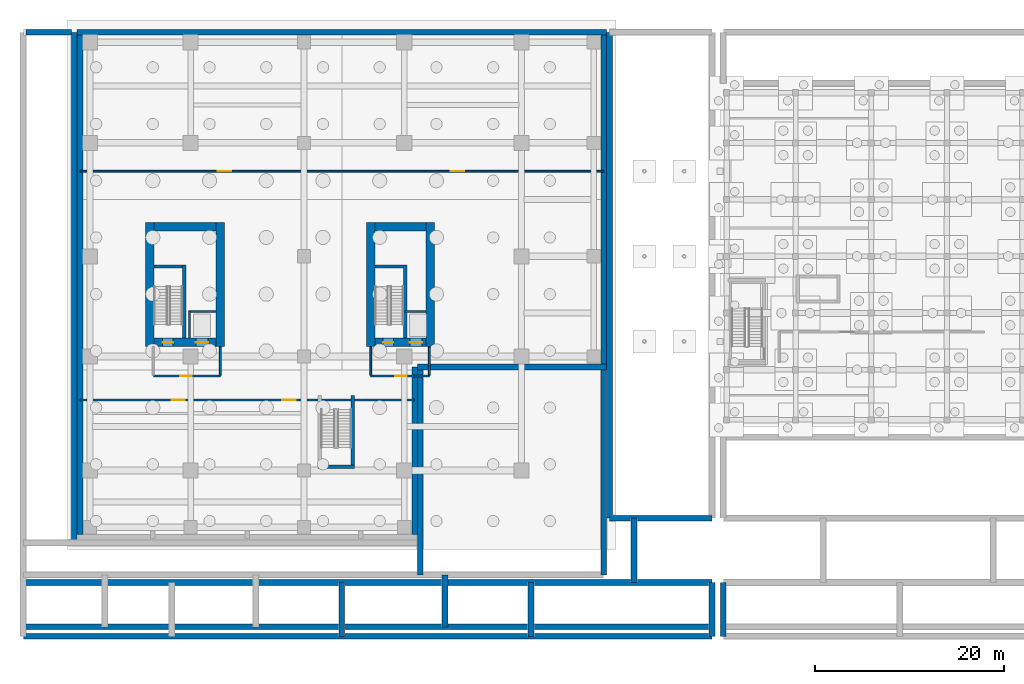
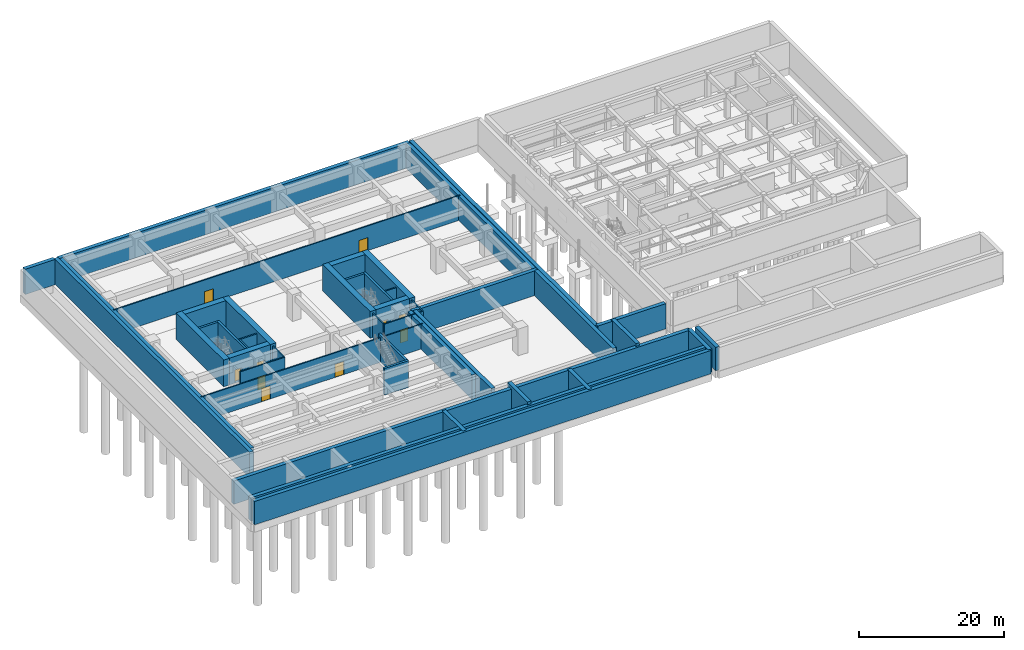
# One storey, part 9 of 14: 44 walls, 10 doors, 10 openings.
"""IFC4 building model written with IfcOpenShell, lengths in metres."""

from ifc_helpers import new_model, si_unit, direction, frame, frame_2d, origin, place, context, subcontext, project, spatial, rectangle, extrude, source, transform, mapped, material, layer, layer_set, type_object, element, fill, save


model = new_model("IFC4")

# Units and contexts
model_context = context("Model", 3, precision=1e-05, world=origin(), true_north=direction((0.0, 1.0)))
body_context = subcontext(model_context, "Body", "Model", "MODEL_VIEW")
ifc_project = project(units=[si_unit("LENGTHUNIT", "METRE"), si_unit("AREAUNIT", "SQUARE_METRE"), si_unit("VOLUMEUNIT", "CUBIC_METRE"), si_unit("PLANEANGLEUNIT", "RADIAN"), si_unit("MASSUNIT", "GRAM", prefix="KILO")], contexts=[model_context])

# Site, building, storey
site_placement = place(None, origin())
site = spatial("IfcSite", under=ifc_project, at=site_placement, CompositionType="ELEMENT")
building_placement = place(site_placement, origin())
building = spatial("IfcBuilding", under=site, at=building_placement, Name="Khoralis Quay Care Tower", CompositionType="ELEMENT")
storey_placement = place(building_placement, frame((0.0, 0.0, -4.5)))
storey = spatial("IfcBuildingStorey", under=building, at=storey_placement, Name="B1", CompositionType="ELEMENT", Elevation=-4.5)

# Walls
ifc_material_1 = material(Name="Concrete C50/60", Category="concrete")
ifc_layer_1 = layer(ifc_material_1, 0.60009765625)
ifc_layer_set_1 = layer_set([ifc_layer_1], Name="Concrete C50/60")
wall_type_1 = type_object("IfcWallType", Name="WL-BSMT-RET-600", PredefinedType="SOLIDWALL", material=ifc_layer_set_1)
wall_1_placement = place(storey_placement, frame((35.699951171875, -5.39990234375, 0.0), z_axis=(0.0, 0.0, 1.0), x_axis=(0.0, 1.0, 0.0)))
element("IfcWall", 1, at=wall_1_placement, inside=storey, type_object=wall_type_1, Name="Basement Retaining Wall WL-B1-RET-E1", PredefinedType="SOLIDWALL", context=body_context, shape_type="SweptSolid", body=[
    extrude(rectangle(XDim=17.699951171875, YDim=0.60009765625, at=frame_2d((8.85009765625, 0.0))), origin(), (0.0, 0.0, 1.0), 4.159912109375),
])
wall_2_placement = place(storey_placement, frame((36.0, 12.300048828125, 0.0), z_axis=(0.0, 0.0, 1.0), x_axis=(1.0, 0.0, 0.0)))
element("IfcWall", 2, at=wall_2_placement, inside=storey, type_object=wall_type_1, Name="Basement Retaining Wall WL-B1-RET-S2", PredefinedType="SOLIDWALL", context=body_context, shape_type="SweptSolid", body=[
    extrude(rectangle(XDim=20.0, YDim=0.60009765625, at=frame_2d((10.0, 0.0))), origin(), (0.0, 0.0, 1.0), 4.159912109375),
])
wall_3_placement = place(storey_placement, frame((55.699951171875, 12.60009765625, 0.0), z_axis=(0.0, 0.0, 1.0), x_axis=(0.0, 1.0, 0.0)))
element("IfcWall", 3, at=wall_3_placement, inside=storey, type_object=wall_type_1, Name="Basement Retaining Wall WL-B1-RET-E2", PredefinedType="SOLIDWALL", context=body_context, shape_type="SweptSolid", body=[
    extrude(rectangle(XDim=34.7998046875, YDim=0.60009765625, at=frame_2d((17.39990234375, 0.0))), origin(), (0.0, 0.0, 1.0), 4.159912109375),
])
wall_4_placement = place(storey_placement, frame((56.0, 47.699951171875, 0.0), z_axis=(0.0, 0.0, 1.0), x_axis=(-1.0, 0.0, 0.0)))
element("IfcWall", 4, at=wall_4_placement, inside=storey, type_object=wall_type_1, Name="Basement Retaining Wall WL-B1-RET-N", PredefinedType="SOLIDWALL", context=body_context, shape_type="SweptSolid", body=[
    extrude(rectangle(XDim=56.0, YDim=0.60009765625, at=frame_2d((28.0, 0.0))), origin(), (0.0, 0.0, 1.0), 4.159912109375),
])
wall_5_placement = place(storey_placement, frame((0.300048828125, 47.39990234375, 0.0), z_axis=(0.0, 0.0, 1.0), x_axis=(0.0, -1.0, 0.0)))
element("IfcWall", 5, at=wall_5_placement, inside=storey, type_object=wall_type_1, Name="Basement Retaining Wall WL-B1-RET-W", PredefinedType="SOLIDWALL", context=body_context, shape_type="SweptSolid", body=[
    extrude(rectangle(XDim=52.7998046875, YDim=0.60009765625, at=frame_2d((26.39990234375, 0.0))), origin(), (0.0, 0.0, 1.0), 4.159912109375),
])
wall_6_placement = place(storey_placement, frame((38.89990234375, -15.199951171875, 0.0), z_axis=(0.0, 0.0, 1.0), x_axis=(0.0, 1.0, 0.0)))
element("IfcWall", 6, at=wall_6_placement, inside=storey, type_object=wall_type_1, Name="Waterfront Quay Substructure Retaining Plinth Wall 3", PredefinedType="SOLIDWALL", context=body_context, shape_type="SweptSolid", body=[
    extrude(rectangle(XDim=5.5, YDim=0.60009765625, at=frame_2d((2.75, 0.0))), origin(), (0.0, 0.0, 1.0), 4.419921875),
])
wall_7_placement = place(storey_placement, frame((58.89990234375, -10.5, 0.0), z_axis=(0.0, 0.0, 1.0), x_axis=(0.0, 1.0, 0.0)))
element("IfcWall", 7, at=wall_7_placement, inside=storey, type_object=wall_type_1, Name="Waterfront Quay Substructure Retaining Plinth Wall 4", PredefinedType="SOLIDWALL", context=body_context, shape_type="SweptSolid", body=[
    extrude(rectangle(XDim=6.800048828125, YDim=0.60009765625, at=frame_2d((3.39990234375, 0.0))), origin(), (0.0, 0.0, 1.0), 4.419921875),
])
wall_8_placement = place(storey_placement, frame((-5.39990234375, 47.699951171875, 0.0), z_axis=(0.0, 0.0, 1.0), x_axis=(1.0, 0.0, 0.0)))
element("IfcWall", 8, at=wall_8_placement, inside=storey, type_object=wall_type_1, Name="Quay Promenade Substructure Retaining Plinth Wall 2", PredefinedType="SOLIDWALL", context=body_context, shape_type="SweptSolid", body=[
    extrude(rectangle(XDim=4.7998046875, YDim=0.60009765625, at=frame_2d((2.39990234375, 0.0))), origin(), (0.0, 0.0, 1.0), 4.260009765625),
])
wall_9_placement = place(storey_placement, frame((-0.300048828125, -6.300048828125, 0.0), z_axis=(0.0, 0.0, 1.0), x_axis=(0.0, 1.0, 0.0)))
element("IfcWall", 9, at=wall_9_placement, inside=storey, type_object=wall_type_1, Name="Quay Promenade Substructure Retaining Plinth Wall 3", PredefinedType="SOLIDWALL", context=body_context, shape_type="SweptSolid", body=[
    extrude(rectangle(XDim=54.0, YDim=0.60009765625, at=frame_2d((27.0, 0.0))), origin(), (0.0, 0.0, 1.0), 4.260009765625),
])
for number, where, z_axis, x_axis, name in (
    (10, (36.300048828125, -9.699951171875, 0.0), (0.0, 0.0, 1.0), (0.0, 1.0, 0.0), "Quay Promenade Substructure Retaining Plinth Wall 6"),
    (11, (55.699951171875, -9.699951171875, 0.0), (0.0, 0.0, 1.0), (0.0, 1.0, 0.0), "Quay Promenade Substructure Retaining Plinth Wall 7"),
):
    element("IfcWall", number, at=place(storey_placement, frame(where, z_axis=z_axis, x_axis=x_axis)), inside=storey, type_object=wall_type_1, Name=name, PredefinedType="SOLIDWALL", context=body_context, shape_type="SweptSolid", body=[
        extrude(rectangle(XDim=21.699951171875, YDim=0.60009765625, at=frame_2d((10.85009765625, 0.0))), origin(), (0.0, 0.0, 1.0), 4.260009765625),
    ])
wall_10_placement = place(storey_placement, frame((56.300048828125, -3.699951171875, 0.0), z_axis=(0.0, 0.0, 1.0), x_axis=(0.0, 1.0, 0.0)))
element("IfcWall", 12, at=wall_10_placement, inside=storey, type_object=wall_type_1, Name="Quay Promenade Substructure Retaining Plinth Wall 8", PredefinedType="SOLIDWALL", context=body_context, shape_type="SweptSolid", body=[
    extrude(rectangle(XDim=51.39990234375, YDim=0.60009765625, at=frame_2d((25.699951171875, 0.0))), origin(), (0.0, 0.0, 1.0), 4.260009765625),
])
wall_11_placement = place(storey_placement, frame((56.300048828125, -3.699951171875, 0.0), z_axis=(0.0, 0.0, 1.0), x_axis=(1.0, 0.0, 0.0)))
element("IfcWall", 13, at=wall_11_placement, inside=storey, type_object=wall_type_1, Name="Quay Promenade Substructure Retaining Plinth Wall 10", PredefinedType="SOLIDWALL", context=body_context, shape_type="SweptSolid", body=[
    extrude(rectangle(XDim=10.849853515625, YDim=0.60009765625, at=frame_2d((5.4248046875, 0.0))), origin(), (0.0, 0.0, 1.0), 4.260009765625),
])
for number, where, z_axis, x_axis, name in (
    (14, (-5.699951171875, -16.199951171875, 0.0), (0.0, 0.0, 1.0), (1.0, 0.0, 0.0), "Quay Promenade Substructure Retaining Plinth Wall 22"),
    (15, (-5.699951171875, -15.199951171875, 0.0), (0.0, 0.0, 1.0), (1.0, 0.0, 0.0), "Quay Promenade Substructure Retaining Plinth Wall 23"),
    (16, (-5.699951171875, -10.5, 0.0), (0.0, 0.0, 1.0), (1.0, 0.0, 0.0), "Quay Promenade Substructure Retaining Plinth Wall 24"),
):
    element("IfcWall", number, at=place(storey_placement, frame(where, z_axis=z_axis, x_axis=x_axis)), inside=storey, type_object=wall_type_1, Name=name, PredefinedType="SOLIDWALL", context=body_context, shape_type="SweptSolid", body=[
        extrude(rectangle(XDim=72.849853515625, YDim=0.60009765625, at=frame_2d((36.4248046875, 0.0))), origin(), (0.0, 0.0, 1.0), 3.93994140625),
    ])
for number, where, z_axis, x_axis, name in (
    (17, (67.14990234375, -16.199951171875, 0.0), (0.0, 0.0, 1.0), (0.0, 1.0, 0.0), "Quay Promenade Substructure Retaining Plinth Wall 25"),
    (18, (28.0, -16.199951171875, 0.0), (0.0, 0.0, 1.0), (0.0, 1.0, 0.0), "Quay Promenade Substructure Retaining Plinth Wall 27"),
    (19, (48.0, -16.199951171875, 0.0), (0.0, 0.0, 1.0), (0.0, 1.0, 0.0), "Quay Promenade Substructure Retaining Plinth Wall 28"),
    (20, (68.35009765625, -16.199951171875, 0.0), (0.0, 0.0, 1.0), (0.0, 1.0, 0.0), "Quay Promenade Substructure Retaining Plinth Wall 32"),
):
    element("IfcWall", number, at=place(storey_placement, frame(where, z_axis=z_axis, x_axis=x_axis)), inside=storey, type_object=wall_type_1, Name=name, PredefinedType="SOLIDWALL", context=body_context, shape_type="SweptSolid", body=[
        extrude(rectangle(XDim=5.699951171875, YDim=0.60009765625, at=frame_2d((2.85009765625, 0.0))), origin(), (0.0, 0.0, 1.0), 3.93994140625),
    ])

# Wall, opening, door
ifc_material_2 = material(Name="Gypsum plasterboard on acoustic metal stud")
ifc_layer_2 = layer(ifc_material_2, 0.199951171875)
ifc_layer_set_2 = layer_set([ifc_layer_2], Name="Gypsum plasterboard on acoustic metal stud")
wall_type_2 = type_object("IfcWallType", Name="WL-COMP-200", PredefinedType="PARTITIONING", material=ifc_layer_set_2)
wall_12_placement = place(storey_placement, frame((8.050048828125, 11.35009765625, 0.0), z_axis=(0.0, 0.0, 1.0), x_axis=(1.0, 0.0, 0.0)))
wall_12 = element("IfcWall", 21, at=wall_12_placement, inside=storey, type_object=wall_type_2, Name="B1 West Firefighting Lobby South Wall", PredefinedType="PARTITIONING", context=body_context, shape_type="SweptSolid", body=[
    extrude(rectangle(XDim=7.099853515625, YDim=0.199951171875, at=frame_2d((3.5498046875, 0.0))), origin(), (0.0, 0.0, 1.0), 4.159912109375),
])
opening_1_placement = place(wall_12_placement, frame((2.846435546875, 0.0, 0.0)))
opening_1 = element("IfcOpeningElement", 22, at=opening_1_placement, cuts=wall_12, Name="Opening FD1", PredefinedType="OPENING", context=body_context, shape_type="SweptSolid", body=[
    extrude(rectangle(XDim=1.199951171875, YDim=2.199951171875, at=frame_2d((0.60009765625, 1.10009765625))), frame((0.0, 0.10986328125, 0.0), z_axis=(0.0, -1.0, 0.0), x_axis=(1.0, 0.0, 0.0)), (0.0, 0.0, 1.0), 0.219970703125),
])
ifc_material_3 = material(Name="Fire-rated painted steel", Category="steel")
door_type_1 = type_object("IfcDoorType", Name="DR-FFL-1200X2200", OperationType="NOTDEFINED", PredefinedType="DOOR", material=ifc_material_3)
shared_shape_1 = source(origin(), body_context, "Body", "SweptSolid", [
    extrude(rectangle(XDim=1.199951171875, YDim=2.199951171875, at=frame_2d((0.60009765625, 1.10009765625))), frame((0.0, 0.02490234375, 0.0), z_axis=(0.0, -1.0, 0.0), x_axis=(1.0, 0.0, 0.0)), (0.0, 0.0, 1.0), 0.050048828125),
])
door_1_placement = place(opening_1_placement, origin())
door_1 = element("IfcDoor", 23, at=door_1_placement, inside=storey, type_object=door_type_1, Name="B1 West Firefighting Lobby Fire Door", OperationType="SINGLE_SWING_RIGHT", OverallHeight=2.199951171875, OverallWidth=1.199951171875, PredefinedType="DOOR", context=body_context, shape_type="MappedRepresentation", body=[
    mapped(shared_shape_1, transform((0.0, 0.0, 0.0), scale=1.0)),
])
fill(opening_1, door_1)

# Wall
wall_13_placement = place(storey_placement, frame((15.14990234375, 11.445068359375, 0.0), z_axis=(0.0, 0.0, 1.0), x_axis=(0.0, 1.0, 0.0)))
element("IfcWall", 24, at=wall_13_placement, inside=storey, type_object=wall_type_2, Name="B1 West Firefighting Lobby East Wall", PredefinedType="PARTITIONING", context=body_context, shape_type="SweptSolid", body=[
    extrude(rectangle(XDim=2.98486328125, YDim=0.199951171875, at=frame_2d((1.492431640625, 0.0))), origin(), (0.0, 0.0, 1.0), 4.159912109375),
])

# Wall, opening, door
wall_14_placement = place(storey_placement, frame((31.050048828125, 11.35009765625, 0.0), z_axis=(0.0, 0.0, 1.0), x_axis=(1.0, 0.0, 0.0)))
wall_14 = element("IfcWall", 25, at=wall_14_placement, inside=storey, type_object=wall_type_2, Name="B1 East Firefighting Lobby South Wall", PredefinedType="PARTITIONING", context=body_context, shape_type="SweptSolid", body=[
    extrude(rectangle(XDim=6.199951171875, YDim=0.199951171875, at=frame_2d((3.10009765625, 0.0))), origin(), (0.0, 0.0, 1.0), 4.159912109375),
])
opening_2_placement = place(wall_14_placement, frame((2.585693359375, 0.0, 0.0)))
opening_2 = element("IfcOpeningElement", 26, at=opening_2_placement, cuts=wall_14, Name="Opening FD1", PredefinedType="OPENING", context=body_context, shape_type="SweptSolid", body=[
    extrude(rectangle(XDim=1.199951171875, YDim=2.199951171875, at=frame_2d((0.60009765625, 1.10009765625))), frame((0.0, 0.10986328125, 0.0), z_axis=(0.0, -1.0, 0.0), x_axis=(1.0, 0.0, 0.0)), (0.0, 0.0, 1.0), 0.219970703125),
])
door_2_placement = place(opening_2_placement, origin())
door_2 = element("IfcDoor", 27, at=door_2_placement, inside=storey, type_object=door_type_1, Name="B1 East Firefighting Lobby Fire Door", OperationType="SINGLE_SWING_LEFT", OverallHeight=2.199951171875, OverallWidth=1.199951171875, PredefinedType="DOOR", context=body_context, shape_type="MappedRepresentation", body=[
    mapped(shared_shape_1, transform((0.0, 0.0, 0.0), scale=1.0)),
])
fill(opening_2, door_2)

# Walls
for number, where, z_axis, x_axis, name in (
    (28, (31.050048828125, 11.445068359375, 0.0), (0.0, 0.0, 1.0), (0.0, 1.0, 0.0), "B1 East Firefighting Lobby West Wall"),
    (29, (37.25, 11.445068359375, 0.0), (0.0, 0.0, 1.0), (0.0, 1.0, 0.0), "B1 East Firefighting Lobby East Wall"),
):
    element("IfcWall", number, at=place(storey_placement, frame(where, z_axis=z_axis, x_axis=x_axis)), inside=storey, type_object=wall_type_2, Name=name, PredefinedType="PARTITIONING", context=body_context, shape_type="SweptSolid", body=[
        extrude(rectangle(XDim=2.98486328125, YDim=0.199951171875, at=frame_2d((1.492431640625, 0.0))), origin(), (0.0, 0.0, 1.0), 4.159912109375),
    ])

# Wall, openings, doors
wall_15_placement = place(storey_placement, frame((0.294921875, 8.800048828125, 0.0), z_axis=(0.0, 0.0, 1.0), x_axis=(1.0, 0.0, 0.0)))
wall_15 = element("IfcWall", 30, at=wall_15_placement, inside=storey, type_object=wall_type_2, Name="B1 Plant Corridor South Wall", PredefinedType="PARTITIONING", context=body_context, shape_type="SweptSolid", body=[
    extrude(rectangle(XDim=35.41015625, YDim=0.199951171875, at=frame_2d((17.705078125, 0.0))), origin(), (0.0, 0.0, 1.0), 4.159912109375),
])
opening_3_placement = place(wall_15_placement, frame((9.68505859375, 0.0, 0.0)))
opening_3 = element("IfcOpeningElement", 31, at=opening_3_placement, cuts=wall_15, Name="Opening PD1", PredefinedType="OPENING", context=body_context, shape_type="SweptSolid", body=[
    extrude(rectangle(XDim=1.39990234375, YDim=2.199951171875, at=frame_2d((0.699951171875, 1.10009765625))), frame((0.0, 0.10986328125, 0.0), z_axis=(0.0, -1.0, 0.0), x_axis=(1.0, 0.0, 0.0)), (0.0, 0.0, 1.0), 0.219970703125),
])
opening_4_placement = place(wall_15_placement, frame((21.405029296875, 0.0, 0.0)))
opening_4 = element("IfcOpeningElement", 32, at=opening_4_placement, cuts=wall_15, Name="Opening PD1", PredefinedType="OPENING", context=body_context, shape_type="SweptSolid", body=[
    extrude(rectangle(XDim=1.39990234375, YDim=2.199951171875, at=frame_2d((0.699951171875, 1.10009765625))), frame((0.0, 0.10986328125, 0.0), z_axis=(0.0, -1.0, 0.0), x_axis=(1.0, 0.0, 0.0)), (0.0, 0.0, 1.0), 0.219970703125),
])
door_type_2 = type_object("IfcDoorType", Name="DR-PLANT-1400X2200", OperationType="NOTDEFINED", PredefinedType="DOOR", material=ifc_material_3)
shared_shape_2 = source(origin(), body_context, "Body", "SweptSolid", [
    extrude(rectangle(XDim=1.39990234375, YDim=2.199951171875, at=frame_2d((0.699951171875, 1.10009765625))), frame((0.0, 0.02490234375, 0.0), z_axis=(0.0, -1.0, 0.0), x_axis=(1.0, 0.0, 0.0)), (0.0, 0.0, 1.0), 0.050048828125),
])
door_3_placement = place(opening_3_placement, frame((1.39990234375, 0.0, 0.0), z_axis=(0.0, 0.0, 1.0), x_axis=(-1.0, 0.0, 0.0)))
door_3 = element("IfcDoor", 33, at=door_3_placement, inside=storey, type_object=door_type_2, Name="B1 Medical Gas Plant Door", OperationType="DOUBLE_DOOR_SINGLE_SWING", OverallHeight=2.199951171875, OverallWidth=1.39990234375, PredefinedType="DOOR", context=body_context, shape_type="MappedRepresentation", body=[
    mapped(shared_shape_2, transform((0.0, 0.0, 0.0), scale=1.0)),
])
fill(opening_3, door_3)
door_4_placement = place(opening_4_placement, frame((1.39990234375, 0.0, 0.0), z_axis=(0.0, 0.0, 1.0), x_axis=(-1.0, 0.0, 0.0)))
door_4 = element("IfcDoor", 34, at=door_4_placement, inside=storey, type_object=door_type_2, Name="B1 Generator Hall Door", OperationType="DOUBLE_DOOR_SINGLE_SWING", OverallHeight=2.199951171875, OverallWidth=1.39990234375, PredefinedType="DOOR", context=body_context, shape_type="MappedRepresentation", body=[
    mapped(shared_shape_2, transform((0.0, 0.0, 0.0), scale=1.0)),
])
fill(opening_4, door_4)

wall_16_placement = place(storey_placement, frame((0.294921875, 33.0, 0.0), z_axis=(0.0, 0.0, 1.0), x_axis=(1.0, 0.0, 0.0)))
wall_16 = element("IfcWall", 35, at=wall_16_placement, inside=storey, type_object=wall_type_2, Name="B1 Plant Corridor North Wall", PredefinedType="PARTITIONING", context=body_context, shape_type="SweptSolid", body=[
    extrude(rectangle(XDim=55.41015625, YDim=0.199951171875, at=frame_2d((27.705078125, 0.0))), origin(), (0.0, 0.0, 1.0), 4.159912109375),
])
opening_5_placement = place(wall_16_placement, frame((14.5849609375, 0.0, 0.0)))
opening_5 = element("IfcOpeningElement", 36, at=opening_5_placement, cuts=wall_16, Name="Opening PD1", PredefinedType="OPENING", context=body_context, shape_type="SweptSolid", body=[
    extrude(rectangle(XDim=1.39990234375, YDim=2.199951171875, at=frame_2d((0.699951171875, 1.10009765625))), frame((0.0, 0.10986328125, 0.0), z_axis=(0.0, -1.0, 0.0), x_axis=(1.0, 0.0, 0.0)), (0.0, 0.0, 1.0), 0.219970703125),
])
opening_6_placement = place(wall_16_placement, frame((39.22509765625, 0.0, 0.0)))
opening_6 = element("IfcOpeningElement", 37, at=opening_6_placement, cuts=wall_16, Name="Opening PD1", PredefinedType="OPENING", context=body_context, shape_type="SweptSolid", body=[
    extrude(rectangle(XDim=1.39990234375, YDim=2.199951171875, at=frame_2d((0.699951171875, 1.10009765625))), frame((0.0, 0.10986328125, 0.0), z_axis=(0.0, -1.0, 0.0), x_axis=(1.0, 0.0, 0.0)), (0.0, 0.0, 1.0), 0.219970703125),
])
door_5_placement = place(opening_5_placement, origin())
door_5 = element("IfcDoor", 38, at=door_5_placement, inside=storey, type_object=door_type_2, Name="B1 Cooling Plant Door", OperationType="DOUBLE_DOOR_SINGLE_SWING", OverallHeight=2.199951171875, OverallWidth=1.39990234375, PredefinedType="DOOR", context=body_context, shape_type="MappedRepresentation", body=[
    mapped(shared_shape_2, transform((0.0, 0.0, 0.0), scale=1.0)),
])
fill(opening_5, door_5)
door_6_placement = place(opening_6_placement, origin())
door_6 = element("IfcDoor", 39, at=door_6_placement, inside=storey, type_object=door_type_2, Name="B1 Fire Pump Plant Door", OperationType="DOUBLE_DOOR_SINGLE_SWING", OverallHeight=2.199951171875, OverallWidth=1.39990234375, PredefinedType="DOOR", context=body_context, shape_type="MappedRepresentation", body=[
    mapped(shared_shape_2, transform((0.0, 0.0, 0.0), scale=1.0)),
])
fill(opening_6, door_6)

# Walls
ifc_material_4 = material(Name="Concrete C80/95", Category="concrete")
ifc_layer_3 = layer(ifc_material_4, 0.89990234375)
ifc_layer_set_3 = layer_set([ifc_layer_3], Name="Concrete C80/95")
wall_type_3 = type_object("IfcWallType", Name="WL-CORE-900", PredefinedType="SHEAR", material=ifc_layer_set_3)
for number, where, z_axis, x_axis, name in (
    (40, (7.699951171875, 14.449951171875, 0.0), (0.0, 0.0, 1.0), (0.0, 1.0, 0.0), "B1 WCORE West Shear Wall"),
    (41, (15.14990234375, 14.449951171875, 0.0), (0.0, 0.0, 1.0), (0.0, 1.0, 0.0), "B1 WCORE East Shear Wall"),
):
    element("IfcWall", number, at=place(storey_placement, frame(where, z_axis=z_axis, x_axis=x_axis)), inside=storey, type_object=wall_type_3, Name=name, PredefinedType="SHEAR", context=body_context, shape_type="SweptSolid", body=[
        extrude(rectangle(XDim=13.150146484375, YDim=0.89990234375, at=frame_2d((6.5751953125, 0.0))), origin(), (0.0, 0.0, 1.0), 4.5),
    ])

# Wall, openings, doors
wall_17_placement = place(storey_placement, frame((8.14990234375, 14.89990234375, 0.0), z_axis=(0.0, 0.0, 1.0), x_axis=(1.0, 0.0, 0.0)))
wall_17 = element("IfcWall", 42, at=wall_17_placement, inside=storey, type_object=wall_type_3, Name="B1 WCORE South Shear Wall", PredefinedType="SHEAR", context=body_context, shape_type="SweptSolid", body=[
    extrude(rectangle(XDim=6.550048828125, YDim=0.89990234375, at=frame_2d((3.27490234375, 0.0))), origin(), (0.0, 0.0, 1.0), 4.5),
])
opening_7_placement = place(wall_17_placement, frame((0.89990234375, 0.0, 0.0)))
opening_7 = element("IfcOpeningElement", 43, at=opening_7_placement, cuts=wall_17, Name="Opening SD1", PredefinedType="OPENING", context=body_context, shape_type="SweptSolid", body=[
    extrude(rectangle(XDim=1.10009765625, YDim=2.199951171875, at=frame_2d((0.550048828125, 1.10009765625))), frame((0.0, 0.4599609375, 0.0), z_axis=(0.0, -1.0, 0.0), x_axis=(1.0, 0.0, 0.0)), (0.0, 0.0, 1.0), 0.919921875),
])
opening_8_placement = place(wall_17_placement, frame((4.39990234375, 0.0, 0.0)))
opening_8 = element("IfcOpeningElement", 44, at=opening_8_placement, cuts=wall_17, Name="Opening LD2", PredefinedType="OPENING", context=body_context, shape_type="SweptSolid", body=[
    extrude(rectangle(XDim=1.300048828125, YDim=2.199951171875, at=frame_2d((0.64990234375, 1.10009765625))), frame((0.0, 0.4599609375, 0.0), z_axis=(0.0, -1.0, 0.0), x_axis=(1.0, 0.0, 0.0)), (0.0, 0.0, 1.0), 0.919921875),
])
door_type_3 = type_object("IfcDoorType", Name="DR-STAIR-1100X2200", OperationType="NOTDEFINED", PredefinedType="DOOR", material=ifc_material_3)
shared_shape_3 = source(origin(), body_context, "Body", "SweptSolid", [
    extrude(rectangle(XDim=1.10009765625, YDim=2.199951171875, at=frame_2d((0.550048828125, 1.10009765625))), frame((0.0, 0.02490234375, 0.0), z_axis=(0.0, -1.0, 0.0), x_axis=(1.0, 0.0, 0.0)), (0.0, 0.0, 1.0), 0.050048828125),
])
door_7_placement = place(opening_7_placement, origin())
door_7 = element("IfcDoor", 45, at=door_7_placement, inside=storey, type_object=door_type_3, Name="B1 Stair ST-T1 Fire Door", OperationType="SINGLE_SWING_RIGHT", OverallHeight=2.199951171875, OverallWidth=1.10009765625, PredefinedType="DOOR", context=body_context, shape_type="MappedRepresentation", body=[
    mapped(shared_shape_3, transform((0.0, 0.0, 0.0), scale=1.0)),
])
fill(opening_7, door_7)
ifc_material_5 = material(Name="Brushed stainless steel", Category="steel")
door_type_4 = type_object("IfcDoorType", Name="DR-LIFT-1300X2200", OperationType="SLIDING_TO_RIGHT", PredefinedType="DOOR", material=ifc_material_5)
shared_shape_4 = source(origin(), body_context, "Body", "SweptSolid", [
    extrude(rectangle(XDim=1.300048828125, YDim=2.199951171875, at=frame_2d((0.64990234375, 1.10009765625))), frame((0.0, 0.02490234375, 0.0), z_axis=(0.0, -1.0, 0.0), x_axis=(1.0, 0.0, 0.0)), (0.0, 0.0, 1.0), 0.050048828125),
])
door_8_placement = place(opening_8_placement, origin())
door_8 = element("IfcDoor", 46, at=door_8_placement, inside=storey, type_object=door_type_4, Name="B1 Firefighting Lift FFL-1 Landing Door", OperationType="SLIDING_TO_RIGHT", OverallHeight=2.199951171875, OverallWidth=1.300048828125, PredefinedType="DOOR", context=body_context, shape_type="MappedRepresentation", body=[
    mapped(shared_shape_4, transform((0.0, 0.0, 0.0), scale=1.0)),
])
fill(opening_8, door_8)

# Walls
wall_18_placement = place(storey_placement, frame((8.14990234375, 27.14990234375, 0.0), z_axis=(0.0, 0.0, 1.0), x_axis=(1.0, 0.0, 0.0)))
element("IfcWall", 47, at=wall_18_placement, inside=storey, type_object=wall_type_3, Name="B1 WCORE North Shear Wall", PredefinedType="SHEAR", context=body_context, shape_type="SweptSolid", body=[
    extrude(rectangle(XDim=6.550048828125, YDim=0.89990234375, at=frame_2d((3.27490234375, 0.0))), origin(), (0.0, 0.0, 1.0), 4.5),
])
for number, where, z_axis, x_axis, name in (
    (48, (31.070068359375, 14.449951171875, 0.0), (0.0, 0.0, 1.0), (0.0, 1.0, 0.0), "B1 ECORE West Shear Wall"),
    (49, (37.35009765625, 14.449951171875, 0.0), (0.0, 0.0, 1.0), (0.0, 1.0, 0.0), "B1 ECORE East Shear Wall"),
):
    element("IfcWall", number, at=place(storey_placement, frame(where, z_axis=z_axis, x_axis=x_axis)), inside=storey, type_object=wall_type_3, Name=name, PredefinedType="SHEAR", context=body_context, shape_type="SweptSolid", body=[
        extrude(rectangle(XDim=13.150146484375, YDim=0.89990234375, at=frame_2d((6.5751953125, 0.0))), origin(), (0.0, 0.0, 1.0), 4.5),
    ])

# Wall, openings, doors
wall_19_placement = place(storey_placement, frame((31.52001953125, 14.89990234375, 0.0), z_axis=(0.0, 0.0, 1.0), x_axis=(1.0, 0.0, 0.0)))
wall_19 = element("IfcWall", 50, at=wall_19_placement, inside=storey, type_object=wall_type_3, Name="B1 ECORE South Shear Wall", PredefinedType="SHEAR", context=body_context, shape_type="SweptSolid", body=[
    extrude(rectangle(XDim=5.3798828125, YDim=0.89990234375, at=frame_2d((2.68994140625, 0.0))), origin(), (0.0, 0.0, 1.0), 4.5),
])
opening_9_placement = place(wall_19_placement, frame((0.830078125, 0.0, 0.0)))
opening_9 = element("IfcOpeningElement", 51, at=opening_9_placement, cuts=wall_19, Name="Opening SD1", PredefinedType="OPENING", context=body_context, shape_type="SweptSolid", body=[
    extrude(rectangle(XDim=1.10009765625, YDim=2.199951171875, at=frame_2d((0.550048828125, 1.10009765625))), frame((0.0, 0.4599609375, 0.0), z_axis=(0.0, -1.0, 0.0), x_axis=(1.0, 0.0, 0.0)), (0.0, 0.0, 1.0), 0.919921875),
])
opening_10_placement = place(wall_19_placement, frame((3.679931640625, 0.0, 0.0)))
opening_10 = element("IfcOpeningElement", 52, at=opening_10_placement, cuts=wall_19, Name="Opening LD2", PredefinedType="OPENING", context=body_context, shape_type="SweptSolid", body=[
    extrude(rectangle(XDim=1.300048828125, YDim=2.199951171875, at=frame_2d((0.64990234375, 1.10009765625))), frame((0.0, 0.4599609375, 0.0), z_axis=(0.0, -1.0, 0.0), x_axis=(1.0, 0.0, 0.0)), (0.0, 0.0, 1.0), 0.919921875),
])
door_9_placement = place(opening_9_placement, origin())
door_9 = element("IfcDoor", 53, at=door_9_placement, inside=storey, type_object=door_type_3, Name="B1 Stair ST-T2 Fire Door", OperationType="SINGLE_SWING_LEFT", OverallHeight=2.199951171875, OverallWidth=1.10009765625, PredefinedType="DOOR", context=body_context, shape_type="MappedRepresentation", body=[
    mapped(shared_shape_3, transform((0.0, 0.0, 0.0), scale=1.0)),
])
fill(opening_9, door_9)
door_10_placement = place(opening_10_placement, origin())
door_10 = element("IfcDoor", 54, at=door_10_placement, inside=storey, type_object=door_type_4, Name="B1 Firefighting Lift FFL-2 Landing Door", OperationType="SLIDING_TO_RIGHT", OverallHeight=2.199951171875, OverallWidth=1.300048828125, PredefinedType="DOOR", context=body_context, shape_type="MappedRepresentation", body=[
    mapped(shared_shape_4, transform((0.0, 0.0, 0.0), scale=1.0)),
])
fill(opening_10, door_10)

# Walls
wall_20_placement = place(storey_placement, frame((31.52001953125, 27.14990234375, 0.0), z_axis=(0.0, 0.0, 1.0), x_axis=(1.0, 0.0, 0.0)))
element("IfcWall", 55, at=wall_20_placement, inside=storey, type_object=wall_type_3, Name="B1 ECORE North Shear Wall", PredefinedType="SHEAR", context=body_context, shape_type="SweptSolid", body=[
    extrude(rectangle(XDim=5.3798828125, YDim=0.89990234375, at=frame_2d((2.68994140625, 0.0))), origin(), (0.0, 0.0, 1.0), 4.5),
])
ifc_material_6 = material(Name="Concrete C40/50", Category="concrete")
ifc_layer_4 = layer(ifc_material_6, 0.35009765625)
ifc_layer_set_4 = layer_set([ifc_layer_4], Name="Concrete C40/50")
wall_type_4 = type_object("IfcWallType", Name="WL-SC-CORE-350", PredefinedType="SHEAR", material=ifc_layer_set_4)
wall_21_placement = place(storey_placement, frame((11.324951171875, 15.35009765625, 0.0), z_axis=(0.0, 0.0, 1.0), x_axis=(0.0, 1.0, 0.0)))
element("IfcWall", 56, at=wall_21_placement, inside=storey, type_object=wall_type_4, Name="B1 Stair ST-T1 Shear Baffle Wall East", PredefinedType="SHEAR", context=body_context, shape_type="SweptSolid", body=[
    extrude(rectangle(XDim=7.75, YDim=0.35009765625, at=frame_2d((3.875, 0.0))), origin(), (0.0, 0.0, 1.0), 4.5),
])
wall_22_placement = place(storey_placement, frame((8.14990234375, 22.925048828125, 0.0), z_axis=(0.0, 0.0, 1.0), x_axis=(1.0, 0.0, 0.0)))
element("IfcWall", 57, at=wall_22_placement, inside=storey, type_object=wall_type_4, Name="B1 Stair ST-T1 Shear Baffle Wall North", PredefinedType="SHEAR", context=body_context, shape_type="SweptSolid", body=[
    extrude(rectangle(XDim=3.0, YDim=0.35009765625, at=frame_2d((1.5, 0.0))), origin(), (0.0, 0.0, 1.0), 4.5),
])
wall_23_placement = place(storey_placement, frame((34.695068359375, 15.35009765625, 0.0), z_axis=(0.0, 0.0, 1.0), x_axis=(0.0, 1.0, 0.0)))
element("IfcWall", 58, at=wall_23_placement, inside=storey, type_object=wall_type_4, Name="B1 Stair ST-T2 Shear Baffle Wall East", PredefinedType="SHEAR", context=body_context, shape_type="SweptSolid", body=[
    extrude(rectangle(XDim=7.75, YDim=0.35009765625, at=frame_2d((3.875, 0.0))), origin(), (0.0, 0.0, 1.0), 4.5),
])
wall_24_placement = place(storey_placement, frame((31.52001953125, 22.925048828125, 0.0), z_axis=(0.0, 0.0, 1.0), x_axis=(1.0, 0.0, 0.0)))
element("IfcWall", 59, at=wall_24_placement, inside=storey, type_object=wall_type_4, Name="B1 Stair ST-T2 Shear Baffle Wall North", PredefinedType="SHEAR", context=body_context, shape_type="SweptSolid", body=[
    extrude(rectangle(XDim=3.0, YDim=0.35009765625, at=frame_2d((1.5, 0.0))), origin(), (0.0, 0.0, 1.0), 4.5),
])
wall_25_placement = place(storey_placement, frame((29.155029296875, 1.570068359375, 0.0), z_axis=(0.0, 0.0, 1.0), x_axis=(0.0, 1.0, 0.0)))
element("IfcWall", 60, at=wall_25_placement, inside=storey, type_object=wall_type_4, Name="B1 Podium Stair ST-P1 East Shear Wall", PredefinedType="SHEAR", context=body_context, shape_type="SweptSolid", body=[
    extrude(rectangle(XDim=7.7099609375, YDim=0.35009765625, at=frame_2d((3.85498046875, 0.0))), origin(), (0.0, 0.0, 1.0), 4.5),
])
wall_26_placement = place(storey_placement, frame((25.469970703125, 1.7451171875, 0.0), z_axis=(0.0, 0.0, 1.0), x_axis=(1.0, 0.0, 0.0)))
element("IfcWall", 61, at=wall_26_placement, inside=storey, type_object=wall_type_4, Name="B1 Podium Stair ST-P1 South Shear Wall", PredefinedType="SHEAR", context=body_context, shape_type="SweptSolid", body=[
    extrude(rectangle(XDim=3.860107421875, YDim=0.35009765625, at=frame_2d((1.93017578125, 0.0))), origin(), (0.0, 0.0, 1.0), 4.5),
])
ifc_layer_5 = layer(ifc_material_2, 0.239990234375)
ifc_layer_set_5 = layer_set([ifc_layer_5], Name="Gypsum plasterboard on acoustic metal stud")
wall_type_5 = type_object("IfcWallType", Name="WL-SHAFT-240", PredefinedType="PARTITIONING", material=ifc_layer_set_5)
wall_27_placement = place(storey_placement, frame((11.8798828125, 15.35009765625, 0.0), z_axis=(0.0, 0.0, 1.0), x_axis=(0.0, 1.0, 0.0)))
element("IfcWall", 62, at=wall_27_placement, inside=storey, type_object=wall_type_5, Name="B1 FFL-1 Shaft Wall West", PredefinedType="PARTITIONING", context=body_context, shape_type="SweptSolid", body=[
    extrude(rectangle(XDim=2.849853515625, YDim=0.239990234375, at=frame_2d((1.4248046875, 0.0))), origin(), (0.0, 0.0, 1.0), 4.159912109375),
])
wall_28_placement = place(storey_placement, frame((11.760009765625, 18.169921875, 0.0), z_axis=(0.0, 0.0, 1.0), x_axis=(1.0, 0.0, 0.0)))
element("IfcWall", 63, at=wall_28_placement, inside=storey, type_object=wall_type_5, Name="B1 FFL-1 Shaft Wall North", PredefinedType="PARTITIONING", context=body_context, shape_type="SweptSolid", body=[
    extrude(rectangle(XDim=2.919921875, YDim=0.239990234375, at=frame_2d((1.4599609375, 0.0))), origin(), (0.0, 0.0, 1.0), 4.159912109375),
])
wall_29_placement = place(storey_placement, frame((34.679931640625, 18.169921875, 0.0), z_axis=(0.0, 0.0, 1.0), x_axis=(1.0, 0.0, 0.0)))
element("IfcWall", 64, at=wall_29_placement, inside=storey, type_object=wall_type_5, Name="B1 FFL-2 Shaft Wall North", PredefinedType="PARTITIONING", context=body_context, shape_type="SweptSolid", body=[
    extrude(rectangle(XDim=2.199951171875, YDim=0.239990234375, at=frame_2d((1.10009765625, 0.0))), origin(), (0.0, 0.0, 1.0), 4.159912109375),
])

save(model, "model.ifc")
